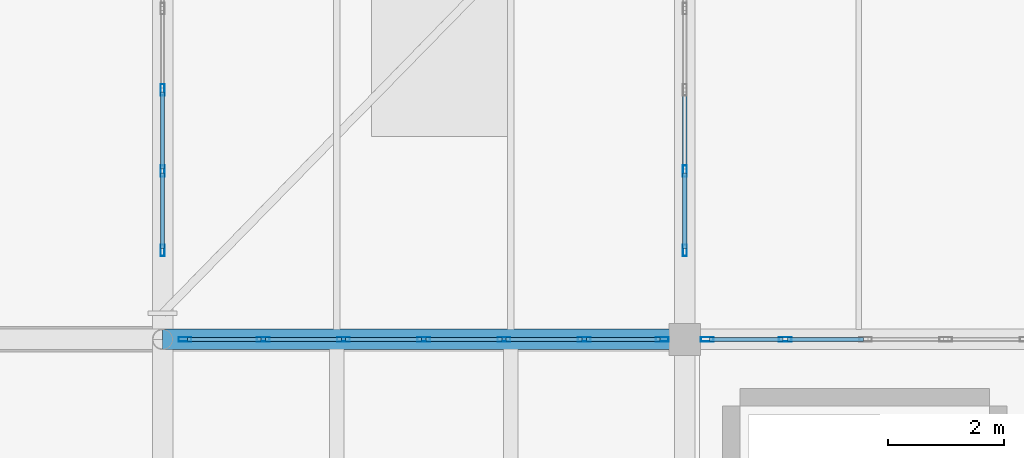
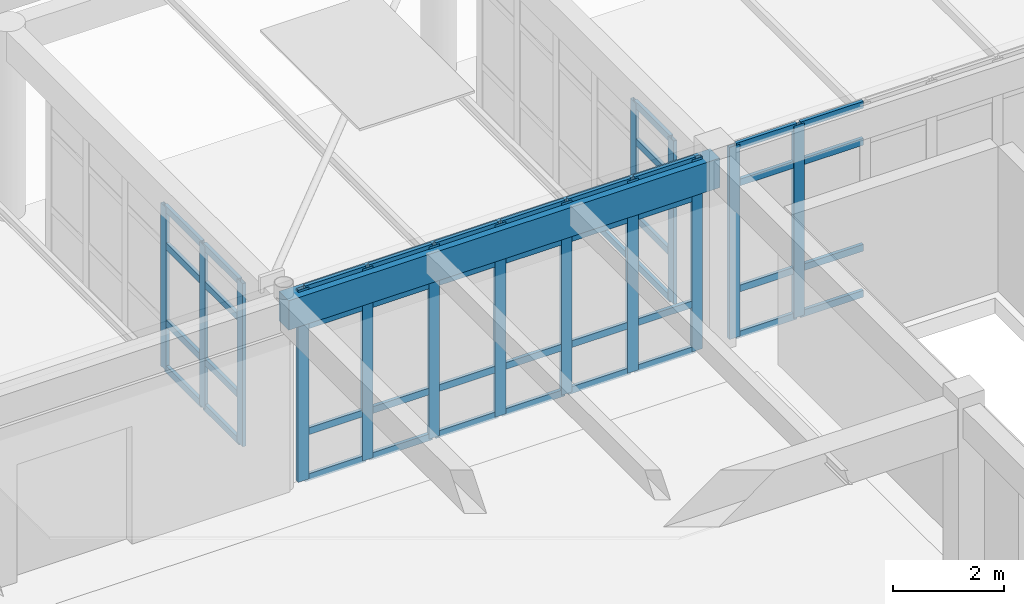
# One storey, part 99 of 186: 59 members, 1 beam, 4 elements without a shape of their own.
"""IFC4 building model written with IfcOpenShell, lengths in metres."""

from ifc_helpers import new_model, si_unit, direction, frame, origin, origin_2d, place, context, subcontext, project, spatial, rectangle, hollow_rectangle, extrude, material, layer, layer_set, material_profile, profile_set, type_object, element, aggregate, save


model = new_model("IFC4")

# Units and contexts
model_context = context("Model", 3, precision=1e-05, world=origin(), true_north=direction((0.0, 1.0)))
body_context = subcontext(model_context, "Body", "Model", "MODEL_VIEW")
ifc_project = project(units=[si_unit("LENGTHUNIT", "METRE"), si_unit("AREAUNIT", "SQUARE_METRE"), si_unit("VOLUMEUNIT", "CUBIC_METRE"), si_unit("PLANEANGLEUNIT", "RADIAN"), si_unit("MASSUNIT", "GRAM", prefix="KILO")], contexts=[model_context])

# Site, building, storey
site_placement = place(None, origin())
site = spatial("IfcSite", under=ifc_project, at=site_placement, CompositionType="ELEMENT")
building_placement = place(site_placement, origin())
building = spatial("IfcBuilding", under=site, at=building_placement, Name="Ornek Quay Market", CompositionType="ELEMENT")
storey_placement = place(building_placement, origin())
storey = spatial("IfcBuildingStorey", under=building, at=storey_placement, Name="L00", CompositionType="ELEMENT", Elevation=0.0)

# Beam
ifc_material_1 = material(Name="Concrete C35/45", Category="concrete")
ifc_material_profile_1 = material_profile(ifc_material_1, rectangle(XDim=0.35009765625, YDim=0.64990234375, at=origin_2d()), Name="RC 350x650", Category="concrete")
ifc_profile_set_1 = profile_set([ifc_material_profile_1], Name="Concrete C35/45")
beam_type = type_object("IfcBeamType", Name="BM-CONC-350x650", PredefinedType="BEAM", material=ifc_profile_set_1)
beam_placement = place(storey_placement, frame((99.0, 110.0, 3.864990234375), z_axis=(1.0, 0.0, 0.0), x_axis=(0.0, 1.0, 0.0)))
element("IfcBeam", 1, at=beam_placement, inside=storey, type_object=beam_type, Name="Primary beam B-CN1-013", PredefinedType="BEAM", context=body_context, shape_type="SweptSolid", body=[
    extrude(rectangle(XDim=0.35009765625, YDim=0.64990234375, at=origin_2d()), origin(), (0.0, 0.0, 1.0), 9.0),
])

# Curtain wall, members
ifc_material_2 = material(Name="Anodised bronze aluminium and triple low-e glass", Category="aluminium")
ifc_layer = layer(ifc_material_2, 0.219970703125, Name="Anodised bronze aluminium and triple low-e glass", Category="aluminium")
ifc_layer_set = layer_set([ifc_layer], Name="Anodised bronze aluminium and triple low-e glass")
curtain_wall_type = type_object("IfcCurtainWallType", Name="CW-PORCH-MOD1500", PredefinedType="USERDEFINED", material=ifc_layer_set)
curtain_wall_1_placement = place(storey_placement, origin())
curtain_wall_1 = element("IfcCurtainWall", 2, at=curtain_wall_1_placement, inside=storey, type_object=curtain_wall_type, Name="Curtain wall CW-153", ObjectType="CURTAIN WALL", PredefinedType="USERDEFINED")
ifc_material_3 = material(Name="Anodised aluminium 6063-T6", Category="aluminium")
ifc_material_profile_2 = material_profile(ifc_material_3, hollow_rectangle(XDim=0.070068359375, YDim=0.199951171875, WallThickness=0.0048828125, at=origin_2d()), Name="CW-MUL-70x200", Category="aluminium")
ifc_profile_set_2 = profile_set([ifc_material_profile_2], Name="Anodised aluminium 6063-T6")
member_type_1 = type_object("IfcMemberType", Name="CW-MUL-70x200", PredefinedType="MULLION", material=ifc_profile_set_2)
member_1_placement = place(storey_placement, frame((99.0, 111.534912109375, 0.0), z_axis=(0.0, 0.0, 1.0), x_axis=(-1.0, 0.0, 0.0)))
member_1 = element("IfcMember", 3, at=member_1_placement, type_object=member_type_1, Name="CW-153 mullion 1", PredefinedType="MULLION", context=body_context, shape_type="SweptSolid", body=[
    extrude(hollow_rectangle(XDim=0.070068359375, YDim=0.199951171875, WallThickness=0.0048828125, at=origin_2d()), origin(), (0.0, 0.0, 1.0), 3.60009765625),
])
member_2_placement = place(storey_placement, frame((99.0, 112.89990234375, 0.0), z_axis=(0.0, 0.0, 1.0), x_axis=(-1.0, 0.0, 0.0)))
member_2 = element("IfcMember", 4, at=member_2_placement, type_object=member_type_1, Name="CW-153 mullion 2", PredefinedType="MULLION", context=body_context, shape_type="SweptSolid", body=[
    extrude(hollow_rectangle(XDim=0.070068359375, YDim=0.199951171875, WallThickness=0.0048828125, at=origin_2d()), origin(), (0.0, 0.0, 1.0), 3.60009765625),
])
member_3_placement = place(storey_placement, frame((99.0, 114.300048828125, 0.0), z_axis=(0.0, 0.0, 1.0), x_axis=(-1.0, 0.0, 0.0)))
member_3 = element("IfcMember", 5, at=member_3_placement, type_object=member_type_1, Name="CW-153 mullion 3", PredefinedType="MULLION", context=body_context, shape_type="SweptSolid", body=[
    extrude(hollow_rectangle(XDim=0.070068359375, YDim=0.199951171875, WallThickness=0.0048828125, at=origin_2d()), origin(), (0.0, 0.0, 1.0), 3.60009765625),
])

curtain_wall_2_placement = place(storey_placement, origin())
curtain_wall_2 = element("IfcCurtainWall", 6, at=curtain_wall_2_placement, inside=storey, type_object=curtain_wall_type, Name="Curtain wall CW-154", ObjectType="CURTAIN WALL", PredefinedType="USERDEFINED")
member_4_placement = place(storey_placement, frame((108.0, 111.534912109375, 0.0), z_axis=(0.0, 0.0, 1.0), x_axis=(-1.0, 0.0, 0.0)))
member_4 = element("IfcMember", 7, at=member_4_placement, type_object=member_type_1, Name="CW-154 mullion 1", PredefinedType="MULLION", context=body_context, shape_type="SweptSolid", body=[
    extrude(hollow_rectangle(XDim=0.070068359375, YDim=0.199951171875, WallThickness=0.0048828125, at=origin_2d()), origin(), (0.0, 0.0, 1.0), 3.60009765625),
])
member_5_placement = place(storey_placement, frame((108.0, 112.89990234375, 0.0), z_axis=(0.0, 0.0, 1.0), x_axis=(-1.0, 0.0, 0.0)))
member_5 = element("IfcMember", 8, at=member_5_placement, type_object=member_type_1, Name="CW-154 mullion 2", PredefinedType="MULLION", context=body_context, shape_type="SweptSolid", body=[
    extrude(hollow_rectangle(XDim=0.070068359375, YDim=0.199951171875, WallThickness=0.0048828125, at=origin_2d()), origin(), (0.0, 0.0, 1.0), 3.60009765625),
])

curtain_wall_3_placement = place(storey_placement, origin())
curtain_wall_3 = element("IfcCurtainWall", 9, at=curtain_wall_3_placement, inside=storey, type_object=curtain_wall_type, Name="Curtain wall CW-047", ObjectType="CURTAIN WALL", PredefinedType="USERDEFINED")
ifc_material_profile_3 = material_profile(ifc_material_3, hollow_rectangle(XDim=0.074951171875, YDim=0.219970703125, WallThickness=0.0048828125, at=origin_2d()), Name="CW-MUL-75x220", Category="aluminium")
ifc_profile_set_3 = profile_set([ifc_material_profile_3], Name="Anodised aluminium 6063-T6")
member_type_2 = type_object("IfcMemberType", Name="CW-MUL-75x220", PredefinedType="MULLION", material=ifc_profile_set_3)
member_6_placement = place(storey_placement, frame((99.387451171875, 110.0, 0.0), z_axis=(0.0, 0.0, 1.0), x_axis=(0.0, 1.0, 0.0)))
member_6 = element("IfcMember", 10, at=member_6_placement, type_object=member_type_2, Name="CW-047 mullion 1", PredefinedType="MULLION", context=body_context, shape_type="SweptSolid", body=[
    extrude(hollow_rectangle(XDim=0.074951171875, YDim=0.219970703125, WallThickness=0.0048828125, at=origin_2d()), origin(), (0.0, 0.0, 1.0), 4.239990234375),
])
member_7_placement = place(storey_placement, frame((100.7333984375, 110.0, 0.0), z_axis=(0.0, 0.0, 1.0), x_axis=(0.0, 1.0, 0.0)))
member_7 = element("IfcMember", 11, at=member_7_placement, type_object=member_type_2, Name="CW-047 mullion 2", PredefinedType="MULLION", context=body_context, shape_type="SweptSolid", body=[
    extrude(hollow_rectangle(XDim=0.074951171875, YDim=0.219970703125, WallThickness=0.0048828125, at=origin_2d()), origin(), (0.0, 0.0, 1.0), 4.239990234375),
])
member_8_placement = place(storey_placement, frame((102.11669921875, 110.0, 0.0), z_axis=(0.0, 0.0, 1.0), x_axis=(0.0, 1.0, 0.0)))
member_8 = element("IfcMember", 12, at=member_8_placement, type_object=member_type_2, Name="CW-047 mullion 3", PredefinedType="MULLION", context=body_context, shape_type="SweptSolid", body=[
    extrude(hollow_rectangle(XDim=0.074951171875, YDim=0.219970703125, WallThickness=0.0048828125, at=origin_2d()), origin(), (0.0, 0.0, 1.0), 4.239990234375),
])
member_9_placement = place(storey_placement, frame((103.5, 110.0, 0.0), z_axis=(0.0, 0.0, 1.0), x_axis=(0.0, 1.0, 0.0)))
member_9 = element("IfcMember", 13, at=member_9_placement, type_object=member_type_2, Name="CW-047 mullion 4", PredefinedType="MULLION", context=body_context, shape_type="SweptSolid", body=[
    extrude(hollow_rectangle(XDim=0.074951171875, YDim=0.219970703125, WallThickness=0.0048828125, at=origin_2d()), origin(), (0.0, 0.0, 1.0), 4.239990234375),
])
member_10_placement = place(storey_placement, frame((104.88330078125, 110.0, 0.0), z_axis=(0.0, 0.0, 1.0), x_axis=(0.0, 1.0, 0.0)))
member_10 = element("IfcMember", 14, at=member_10_placement, type_object=member_type_2, Name="CW-047 mullion 5", PredefinedType="MULLION", context=body_context, shape_type="SweptSolid", body=[
    extrude(hollow_rectangle(XDim=0.074951171875, YDim=0.219970703125, WallThickness=0.0048828125, at=origin_2d()), origin(), (0.0, 0.0, 1.0), 4.239990234375),
])
member_11_placement = place(storey_placement, frame((106.2666015625, 110.0, 0.0), z_axis=(0.0, 0.0, 1.0), x_axis=(0.0, 1.0, 0.0)))
member_11 = element("IfcMember", 15, at=member_11_placement, type_object=member_type_2, Name="CW-047 mullion 6", PredefinedType="MULLION", context=body_context, shape_type="SweptSolid", body=[
    extrude(hollow_rectangle(XDim=0.074951171875, YDim=0.219970703125, WallThickness=0.0048828125, at=origin_2d()), origin(), (0.0, 0.0, 1.0), 4.239990234375),
])
member_12_placement = place(storey_placement, frame((107.612548828125, 110.0, 0.0), z_axis=(0.0, 0.0, 1.0), x_axis=(0.0, 1.0, 0.0)))
member_12 = element("IfcMember", 16, at=member_12_placement, type_object=member_type_2, Name="CW-047 mullion 7", PredefinedType="MULLION", context=body_context, shape_type="SweptSolid", body=[
    extrude(hollow_rectangle(XDim=0.074951171875, YDim=0.219970703125, WallThickness=0.0048828125, at=origin_2d()), origin(), (0.0, 0.0, 1.0), 4.239990234375),
])

curtain_wall_4_placement = place(storey_placement, origin())
curtain_wall_4 = element("IfcCurtainWall", 17, at=curtain_wall_4_placement, inside=storey, type_object=curtain_wall_type, Name="Curtain wall CW-048", ObjectType="CURTAIN WALL", PredefinedType="USERDEFINED")
member_13_placement = place(storey_placement, frame((108.387451171875, 110.0, 0.0), z_axis=(0.0, 0.0, 1.0), x_axis=(0.0, 1.0, 0.0)))
member_13 = element("IfcMember", 18, at=member_13_placement, type_object=member_type_2, Name="CW-048 mullion 1", PredefinedType="MULLION", context=body_context, shape_type="SweptSolid", body=[
    extrude(hollow_rectangle(XDim=0.074951171875, YDim=0.219970703125, WallThickness=0.0048828125, at=origin_2d()), origin(), (0.0, 0.0, 1.0), 4.239990234375),
])
member_14_placement = place(storey_placement, frame((109.7333984375, 110.0, 0.0), z_axis=(0.0, 0.0, 1.0), x_axis=(0.0, 1.0, 0.0)))
member_14 = element("IfcMember", 19, at=member_14_placement, type_object=member_type_2, Name="CW-048 mullion 2", PredefinedType="MULLION", context=body_context, shape_type="SweptSolid", body=[
    extrude(hollow_rectangle(XDim=0.074951171875, YDim=0.219970703125, WallThickness=0.0048828125, at=origin_2d()), origin(), (0.0, 0.0, 1.0), 4.239990234375),
])

# Member
ifc_material_profile_4 = material_profile(ifc_material_3, hollow_rectangle(XDim=0.070068359375, YDim=0.14990234375, WallThickness=0.0048828125, at=origin_2d()), Name="CW-TRN-70x150", Category="aluminium")
ifc_profile_set_4 = profile_set([ifc_material_profile_4], Name="Anodised aluminium 6063-T6")
member_type_3 = type_object("IfcMemberType", Name="CW-TRN-70x150", PredefinedType="USERDEFINED", material=ifc_profile_set_4)
member_15_placement = place(storey_placement, frame((99.425048828125, 110.0, 0.034912109375), z_axis=(1.0, 0.0, 0.0), x_axis=(0.0, 1.0, 0.0)))
member_15 = element("IfcMember", 20, at=member_15_placement, type_object=member_type_3, Name="CW-047 transom 1.1", ObjectType="TRANSOM", PredefinedType="USERDEFINED", context=body_context, shape_type="SweptSolid", body=[
    extrude(hollow_rectangle(XDim=0.070068359375, YDim=0.14990234375, WallThickness=0.0048828125, at=origin_2d()), origin(), (0.0, 0.0, 1.0), 1.270751953125),
])

member_16_placement = place(storey_placement, frame((99.425048828125, 110.0, 1.050048828125), z_axis=(1.0, 0.0, 0.0), x_axis=(0.0, 1.0, 0.0)))
member_16 = element("IfcMember", 21, at=member_16_placement, type_object=member_type_3, Name="CW-047 transom 1.2", ObjectType="TRANSOM", PredefinedType="USERDEFINED", context=body_context, shape_type="SweptSolid", body=[
    extrude(hollow_rectangle(XDim=0.070068359375, YDim=0.14990234375, WallThickness=0.0048828125, at=origin_2d()), origin(), (0.0, 0.0, 1.0), 1.270751953125),
])

member_17_placement = place(storey_placement, frame((99.425048828125, 110.0, 3.389892578125), z_axis=(1.0, 0.0, 0.0), x_axis=(0.0, 1.0, 0.0)))
member_17 = element("IfcMember", 22, at=member_17_placement, type_object=member_type_3, Name="CW-047 transom 1.3", ObjectType="TRANSOM", PredefinedType="USERDEFINED", context=body_context, shape_type="SweptSolid", body=[
    extrude(hollow_rectangle(XDim=0.070068359375, YDim=0.14990234375, WallThickness=0.0048828125, at=origin_2d()), origin(), (0.0, 0.0, 1.0), 1.270751953125),
])

member_18_placement = place(storey_placement, frame((99.425048828125, 110.0, 4.205078125), z_axis=(1.0, 0.0, 0.0), x_axis=(0.0, 1.0, 0.0)))
member_18 = element("IfcMember", 23, at=member_18_placement, type_object=member_type_3, Name="CW-047 transom 1.4", ObjectType="TRANSOM", PredefinedType="USERDEFINED", context=body_context, shape_type="SweptSolid", body=[
    extrude(hollow_rectangle(XDim=0.070068359375, YDim=0.14990234375, WallThickness=0.0048828125, at=origin_2d()), origin(), (0.0, 0.0, 1.0), 1.270751953125),
])

member_19_placement = place(storey_placement, frame((100.770751953125, 110.0, 0.034912109375), z_axis=(1.0, 0.0, 0.0), x_axis=(0.0, 1.0, 0.0)))
member_19 = element("IfcMember", 24, at=member_19_placement, type_object=member_type_3, Name="CW-047 transom 2.1", ObjectType="TRANSOM", PredefinedType="USERDEFINED", context=body_context, shape_type="SweptSolid", body=[
    extrude(hollow_rectangle(XDim=0.070068359375, YDim=0.14990234375, WallThickness=0.0048828125, at=origin_2d()), origin(), (0.0, 0.0, 1.0), 1.308349609375),
])

member_20_placement = place(storey_placement, frame((100.770751953125, 110.0, 1.050048828125), z_axis=(1.0, 0.0, 0.0), x_axis=(0.0, 1.0, 0.0)))
member_20 = element("IfcMember", 25, at=member_20_placement, type_object=member_type_3, Name="CW-047 transom 2.2", ObjectType="TRANSOM", PredefinedType="USERDEFINED", context=body_context, shape_type="SweptSolid", body=[
    extrude(hollow_rectangle(XDim=0.070068359375, YDim=0.14990234375, WallThickness=0.0048828125, at=origin_2d()), origin(), (0.0, 0.0, 1.0), 1.308349609375),
])

member_21_placement = place(storey_placement, frame((100.770751953125, 110.0, 3.389892578125), z_axis=(1.0, 0.0, 0.0), x_axis=(0.0, 1.0, 0.0)))
member_21 = element("IfcMember", 26, at=member_21_placement, type_object=member_type_3, Name="CW-047 transom 2.3", ObjectType="TRANSOM", PredefinedType="USERDEFINED", context=body_context, shape_type="SweptSolid", body=[
    extrude(hollow_rectangle(XDim=0.070068359375, YDim=0.14990234375, WallThickness=0.0048828125, at=origin_2d()), origin(), (0.0, 0.0, 1.0), 1.308349609375),
])

member_22_placement = place(storey_placement, frame((100.770751953125, 110.0, 4.205078125), z_axis=(1.0, 0.0, 0.0), x_axis=(0.0, 1.0, 0.0)))
member_22 = element("IfcMember", 27, at=member_22_placement, type_object=member_type_3, Name="CW-047 transom 2.4", ObjectType="TRANSOM", PredefinedType="USERDEFINED", context=body_context, shape_type="SweptSolid", body=[
    extrude(hollow_rectangle(XDim=0.070068359375, YDim=0.14990234375, WallThickness=0.0048828125, at=origin_2d()), origin(), (0.0, 0.0, 1.0), 1.308349609375),
])

member_23_placement = place(storey_placement, frame((102.154052734375, 110.0, 0.034912109375), z_axis=(1.0, 0.0, 0.0), x_axis=(0.0, 1.0, 0.0)))
member_23 = element("IfcMember", 28, at=member_23_placement, type_object=member_type_3, Name="CW-047 transom 3.1", ObjectType="TRANSOM", PredefinedType="USERDEFINED", context=body_context, shape_type="SweptSolid", body=[
    extrude(hollow_rectangle(XDim=0.070068359375, YDim=0.14990234375, WallThickness=0.0048828125, at=origin_2d()), origin(), (0.0, 0.0, 1.0), 1.308349609375),
])

member_24_placement = place(storey_placement, frame((102.154052734375, 110.0, 1.050048828125), z_axis=(1.0, 0.0, 0.0), x_axis=(0.0, 1.0, 0.0)))
member_24 = element("IfcMember", 29, at=member_24_placement, type_object=member_type_3, Name="CW-047 transom 3.2", ObjectType="TRANSOM", PredefinedType="USERDEFINED", context=body_context, shape_type="SweptSolid", body=[
    extrude(hollow_rectangle(XDim=0.070068359375, YDim=0.14990234375, WallThickness=0.0048828125, at=origin_2d()), origin(), (0.0, 0.0, 1.0), 1.308349609375),
])

member_25_placement = place(storey_placement, frame((102.154052734375, 110.0, 3.389892578125), z_axis=(1.0, 0.0, 0.0), x_axis=(0.0, 1.0, 0.0)))
member_25 = element("IfcMember", 30, at=member_25_placement, type_object=member_type_3, Name="CW-047 transom 3.3", ObjectType="TRANSOM", PredefinedType="USERDEFINED", context=body_context, shape_type="SweptSolid", body=[
    extrude(hollow_rectangle(XDim=0.070068359375, YDim=0.14990234375, WallThickness=0.0048828125, at=origin_2d()), origin(), (0.0, 0.0, 1.0), 1.308349609375),
])

member_26_placement = place(storey_placement, frame((102.154052734375, 110.0, 4.205078125), z_axis=(1.0, 0.0, 0.0), x_axis=(0.0, 1.0, 0.0)))
member_26 = element("IfcMember", 31, at=member_26_placement, type_object=member_type_3, Name="CW-047 transom 3.4", ObjectType="TRANSOM", PredefinedType="USERDEFINED", context=body_context, shape_type="SweptSolid", body=[
    extrude(hollow_rectangle(XDim=0.070068359375, YDim=0.14990234375, WallThickness=0.0048828125, at=origin_2d()), origin(), (0.0, 0.0, 1.0), 1.308349609375),
])

member_27_placement = place(storey_placement, frame((103.53759765625, 110.0, 0.034912109375), z_axis=(1.0, 0.0, 0.0), x_axis=(0.0, 1.0, 0.0)))
member_27 = element("IfcMember", 32, at=member_27_placement, type_object=member_type_3, Name="CW-047 transom 4.1", ObjectType="TRANSOM", PredefinedType="USERDEFINED", context=body_context, shape_type="SweptSolid", body=[
    extrude(hollow_rectangle(XDim=0.070068359375, YDim=0.14990234375, WallThickness=0.0048828125, at=origin_2d()), origin(), (0.0, 0.0, 1.0), 1.308349609375),
])

member_28_placement = place(storey_placement, frame((103.53759765625, 110.0, 1.050048828125), z_axis=(1.0, 0.0, 0.0), x_axis=(0.0, 1.0, 0.0)))
member_28 = element("IfcMember", 33, at=member_28_placement, type_object=member_type_3, Name="CW-047 transom 4.2", ObjectType="TRANSOM", PredefinedType="USERDEFINED", context=body_context, shape_type="SweptSolid", body=[
    extrude(hollow_rectangle(XDim=0.070068359375, YDim=0.14990234375, WallThickness=0.0048828125, at=origin_2d()), origin(), (0.0, 0.0, 1.0), 1.308349609375),
])

member_29_placement = place(storey_placement, frame((103.53759765625, 110.0, 3.389892578125), z_axis=(1.0, 0.0, 0.0), x_axis=(0.0, 1.0, 0.0)))
member_29 = element("IfcMember", 34, at=member_29_placement, type_object=member_type_3, Name="CW-047 transom 4.3", ObjectType="TRANSOM", PredefinedType="USERDEFINED", context=body_context, shape_type="SweptSolid", body=[
    extrude(hollow_rectangle(XDim=0.070068359375, YDim=0.14990234375, WallThickness=0.0048828125, at=origin_2d()), origin(), (0.0, 0.0, 1.0), 1.308349609375),
])

member_30_placement = place(storey_placement, frame((103.53759765625, 110.0, 4.205078125), z_axis=(1.0, 0.0, 0.0), x_axis=(0.0, 1.0, 0.0)))
member_30 = element("IfcMember", 35, at=member_30_placement, type_object=member_type_3, Name="CW-047 transom 4.4", ObjectType="TRANSOM", PredefinedType="USERDEFINED", context=body_context, shape_type="SweptSolid", body=[
    extrude(hollow_rectangle(XDim=0.070068359375, YDim=0.14990234375, WallThickness=0.0048828125, at=origin_2d()), origin(), (0.0, 0.0, 1.0), 1.308349609375),
])

member_31_placement = place(storey_placement, frame((104.9208984375, 110.0, 0.034912109375), z_axis=(1.0, 0.0, 0.0), x_axis=(0.0, 1.0, 0.0)))
member_31 = element("IfcMember", 36, at=member_31_placement, type_object=member_type_3, Name="CW-047 transom 5.1", ObjectType="TRANSOM", PredefinedType="USERDEFINED", context=body_context, shape_type="SweptSolid", body=[
    extrude(hollow_rectangle(XDim=0.070068359375, YDim=0.14990234375, WallThickness=0.0048828125, at=origin_2d()), origin(), (0.0, 0.0, 1.0), 1.308349609375),
])

member_32_placement = place(storey_placement, frame((104.9208984375, 110.0, 1.050048828125), z_axis=(1.0, 0.0, 0.0), x_axis=(0.0, 1.0, 0.0)))
member_32 = element("IfcMember", 37, at=member_32_placement, type_object=member_type_3, Name="CW-047 transom 5.2", ObjectType="TRANSOM", PredefinedType="USERDEFINED", context=body_context, shape_type="SweptSolid", body=[
    extrude(hollow_rectangle(XDim=0.070068359375, YDim=0.14990234375, WallThickness=0.0048828125, at=origin_2d()), origin(), (0.0, 0.0, 1.0), 1.308349609375),
])

member_33_placement = place(storey_placement, frame((104.9208984375, 110.0, 3.389892578125), z_axis=(1.0, 0.0, 0.0), x_axis=(0.0, 1.0, 0.0)))
member_33 = element("IfcMember", 38, at=member_33_placement, type_object=member_type_3, Name="CW-047 transom 5.3", ObjectType="TRANSOM", PredefinedType="USERDEFINED", context=body_context, shape_type="SweptSolid", body=[
    extrude(hollow_rectangle(XDim=0.070068359375, YDim=0.14990234375, WallThickness=0.0048828125, at=origin_2d()), origin(), (0.0, 0.0, 1.0), 1.308349609375),
])

member_34_placement = place(storey_placement, frame((104.9208984375, 110.0, 4.205078125), z_axis=(1.0, 0.0, 0.0), x_axis=(0.0, 1.0, 0.0)))
member_34 = element("IfcMember", 39, at=member_34_placement, type_object=member_type_3, Name="CW-047 transom 5.4", ObjectType="TRANSOM", PredefinedType="USERDEFINED", context=body_context, shape_type="SweptSolid", body=[
    extrude(hollow_rectangle(XDim=0.070068359375, YDim=0.14990234375, WallThickness=0.0048828125, at=origin_2d()), origin(), (0.0, 0.0, 1.0), 1.308349609375),
])

member_35_placement = place(storey_placement, frame((106.30419921875, 110.0, 0.034912109375), z_axis=(1.0, 0.0, 0.0), x_axis=(0.0, 1.0, 0.0)))
member_35 = element("IfcMember", 40, at=member_35_placement, type_object=member_type_3, Name="CW-047 transom 6.1", ObjectType="TRANSOM", PredefinedType="USERDEFINED", context=body_context, shape_type="SweptSolid", body=[
    extrude(hollow_rectangle(XDim=0.070068359375, YDim=0.14990234375, WallThickness=0.0048828125, at=origin_2d()), origin(), (0.0, 0.0, 1.0), 1.270751953125),
])

member_36_placement = place(storey_placement, frame((106.30419921875, 110.0, 1.050048828125), z_axis=(1.0, 0.0, 0.0), x_axis=(0.0, 1.0, 0.0)))
member_36 = element("IfcMember", 41, at=member_36_placement, type_object=member_type_3, Name="CW-047 transom 6.2", ObjectType="TRANSOM", PredefinedType="USERDEFINED", context=body_context, shape_type="SweptSolid", body=[
    extrude(hollow_rectangle(XDim=0.070068359375, YDim=0.14990234375, WallThickness=0.0048828125, at=origin_2d()), origin(), (0.0, 0.0, 1.0), 1.270751953125),
])

member_37_placement = place(storey_placement, frame((106.30419921875, 110.0, 3.389892578125), z_axis=(1.0, 0.0, 0.0), x_axis=(0.0, 1.0, 0.0)))
member_37 = element("IfcMember", 42, at=member_37_placement, type_object=member_type_3, Name="CW-047 transom 6.3", ObjectType="TRANSOM", PredefinedType="USERDEFINED", context=body_context, shape_type="SweptSolid", body=[
    extrude(hollow_rectangle(XDim=0.070068359375, YDim=0.14990234375, WallThickness=0.0048828125, at=origin_2d()), origin(), (0.0, 0.0, 1.0), 1.270751953125),
])

member_38_placement = place(storey_placement, frame((106.30419921875, 110.0, 4.205078125), z_axis=(1.0, 0.0, 0.0), x_axis=(0.0, 1.0, 0.0)))
member_38 = element("IfcMember", 43, at=member_38_placement, type_object=member_type_3, Name="CW-047 transom 6.4", ObjectType="TRANSOM", PredefinedType="USERDEFINED", context=body_context, shape_type="SweptSolid", body=[
    extrude(hollow_rectangle(XDim=0.070068359375, YDim=0.14990234375, WallThickness=0.0048828125, at=origin_2d()), origin(), (0.0, 0.0, 1.0), 1.270751953125),
])

aggregate(curtain_wall_3, [member_6, member_7, member_8, member_9, member_10, member_11, member_12, member_15, member_16, member_17, member_18, member_19, member_20, member_21, member_22, member_23, member_24, member_25, member_26, member_27, member_28, member_29, member_30, member_31, member_32, member_33, member_34, member_35, member_36, member_37, member_38])

member_39_placement = place(storey_placement, frame((108.425048828125, 110.0, 0.034912109375), z_axis=(1.0, 0.0, 0.0), x_axis=(0.0, 1.0, 0.0)))
member_39 = element("IfcMember", 44, at=member_39_placement, type_object=member_type_3, Name="CW-048 transom 1.1", ObjectType="TRANSOM", PredefinedType="USERDEFINED", context=body_context, shape_type="SweptSolid", body=[
    extrude(hollow_rectangle(XDim=0.070068359375, YDim=0.14990234375, WallThickness=0.0048828125, at=origin_2d()), origin(), (0.0, 0.0, 1.0), 1.270751953125),
])

member_40_placement = place(storey_placement, frame((108.425048828125, 110.0, 1.050048828125), z_axis=(1.0, 0.0, 0.0), x_axis=(0.0, 1.0, 0.0)))
member_40 = element("IfcMember", 45, at=member_40_placement, type_object=member_type_3, Name="CW-048 transom 1.2", ObjectType="TRANSOM", PredefinedType="USERDEFINED", context=body_context, shape_type="SweptSolid", body=[
    extrude(hollow_rectangle(XDim=0.070068359375, YDim=0.14990234375, WallThickness=0.0048828125, at=origin_2d()), origin(), (0.0, 0.0, 1.0), 1.270751953125),
])

member_41_placement = place(storey_placement, frame((108.425048828125, 110.0, 3.389892578125), z_axis=(1.0, 0.0, 0.0), x_axis=(0.0, 1.0, 0.0)))
member_41 = element("IfcMember", 46, at=member_41_placement, type_object=member_type_3, Name="CW-048 transom 1.3", ObjectType="TRANSOM", PredefinedType="USERDEFINED", context=body_context, shape_type="SweptSolid", body=[
    extrude(hollow_rectangle(XDim=0.070068359375, YDim=0.14990234375, WallThickness=0.0048828125, at=origin_2d()), origin(), (0.0, 0.0, 1.0), 1.270751953125),
])

member_42_placement = place(storey_placement, frame((108.425048828125, 110.0, 4.205078125), z_axis=(1.0, 0.0, 0.0), x_axis=(0.0, 1.0, 0.0)))
member_42 = element("IfcMember", 47, at=member_42_placement, type_object=member_type_3, Name="CW-048 transom 1.4", ObjectType="TRANSOM", PredefinedType="USERDEFINED", context=body_context, shape_type="SweptSolid", body=[
    extrude(hollow_rectangle(XDim=0.070068359375, YDim=0.14990234375, WallThickness=0.0048828125, at=origin_2d()), origin(), (0.0, 0.0, 1.0), 1.270751953125),
])

member_43_placement = place(storey_placement, frame((109.770751953125, 110.0, 0.034912109375), z_axis=(1.0, 0.0, 0.0), x_axis=(0.0, 1.0, 0.0)))
member_43 = element("IfcMember", 48, at=member_43_placement, type_object=member_type_3, Name="CW-048 transom 2.1", ObjectType="TRANSOM", PredefinedType="USERDEFINED", context=body_context, shape_type="SweptSolid", body=[
    extrude(hollow_rectangle(XDim=0.070068359375, YDim=0.14990234375, WallThickness=0.0048828125, at=origin_2d()), origin(), (0.0, 0.0, 1.0), 1.308349609375),
])

member_44_placement = place(storey_placement, frame((109.770751953125, 110.0, 1.050048828125), z_axis=(1.0, 0.0, 0.0), x_axis=(0.0, 1.0, 0.0)))
member_44 = element("IfcMember", 49, at=member_44_placement, type_object=member_type_3, Name="CW-048 transom 2.2", ObjectType="TRANSOM", PredefinedType="USERDEFINED", context=body_context, shape_type="SweptSolid", body=[
    extrude(hollow_rectangle(XDim=0.070068359375, YDim=0.14990234375, WallThickness=0.0048828125, at=origin_2d()), origin(), (0.0, 0.0, 1.0), 1.308349609375),
])

member_45_placement = place(storey_placement, frame((109.770751953125, 110.0, 3.389892578125), z_axis=(1.0, 0.0, 0.0), x_axis=(0.0, 1.0, 0.0)))
member_45 = element("IfcMember", 50, at=member_45_placement, type_object=member_type_3, Name="CW-048 transom 2.3", ObjectType="TRANSOM", PredefinedType="USERDEFINED", context=body_context, shape_type="SweptSolid", body=[
    extrude(hollow_rectangle(XDim=0.070068359375, YDim=0.14990234375, WallThickness=0.0048828125, at=origin_2d()), origin(), (0.0, 0.0, 1.0), 1.308349609375),
])

member_46_placement = place(storey_placement, frame((109.770751953125, 110.0, 4.205078125), z_axis=(1.0, 0.0, 0.0), x_axis=(0.0, 1.0, 0.0)))
member_46 = element("IfcMember", 51, at=member_46_placement, type_object=member_type_3, Name="CW-048 transom 2.4", ObjectType="TRANSOM", PredefinedType="USERDEFINED", context=body_context, shape_type="SweptSolid", body=[
    extrude(hollow_rectangle(XDim=0.070068359375, YDim=0.14990234375, WallThickness=0.0048828125, at=origin_2d()), origin(), (0.0, 0.0, 1.0), 1.308349609375),
])

aggregate(curtain_wall_4, [member_13, member_14, member_39, member_40, member_41, member_42, member_43, member_44, member_45, member_46])

member_47_placement = place(storey_placement, frame((99.0, 111.570068359375, 0.034912109375), z_axis=(0.0, 1.0, 0.0), x_axis=(-1.0, 0.0, 0.0)))
member_47 = element("IfcMember", 52, at=member_47_placement, type_object=member_type_3, Name="CW-153 transom 1.1", ObjectType="TRANSOM", PredefinedType="USERDEFINED", context=body_context, shape_type="SweptSolid", body=[
    extrude(hollow_rectangle(XDim=0.070068359375, YDim=0.14990234375, WallThickness=0.0048828125, at=origin_2d()), origin(), (0.0, 0.0, 1.0), 1.294921875),
])

member_48_placement = place(storey_placement, frame((99.0, 111.570068359375, 1.050048828125), z_axis=(0.0, 1.0, 0.0), x_axis=(-1.0, 0.0, 0.0)))
member_48 = element("IfcMember", 53, at=member_48_placement, type_object=member_type_3, Name="CW-153 transom 1.2", ObjectType="TRANSOM", PredefinedType="USERDEFINED", context=body_context, shape_type="SweptSolid", body=[
    extrude(hollow_rectangle(XDim=0.070068359375, YDim=0.14990234375, WallThickness=0.0048828125, at=origin_2d()), origin(), (0.0, 0.0, 1.0), 1.294921875),
])

member_49_placement = place(storey_placement, frame((99.0, 111.570068359375, 2.75), z_axis=(0.0, 1.0, 0.0), x_axis=(-1.0, 0.0, 0.0)))
member_49 = element("IfcMember", 54, at=member_49_placement, type_object=member_type_3, Name="CW-153 transom 1.3", ObjectType="TRANSOM", PredefinedType="USERDEFINED", context=body_context, shape_type="SweptSolid", body=[
    extrude(hollow_rectangle(XDim=0.070068359375, YDim=0.14990234375, WallThickness=0.0048828125, at=origin_2d()), origin(), (0.0, 0.0, 1.0), 1.294921875),
])

member_50_placement = place(storey_placement, frame((99.0, 111.570068359375, 3.56494140625), z_axis=(0.0, 1.0, 0.0), x_axis=(-1.0, 0.0, 0.0)))
member_50 = element("IfcMember", 55, at=member_50_placement, type_object=member_type_3, Name="CW-153 transom 1.4", ObjectType="TRANSOM", PredefinedType="USERDEFINED", context=body_context, shape_type="SweptSolid", body=[
    extrude(hollow_rectangle(XDim=0.070068359375, YDim=0.14990234375, WallThickness=0.0048828125, at=origin_2d()), origin(), (0.0, 0.0, 1.0), 1.294921875),
])

member_51_placement = place(storey_placement, frame((99.0, 112.93505859375, 0.034912109375), z_axis=(0.0, 1.0, 0.0), x_axis=(-1.0, 0.0, 0.0)))
member_51 = element("IfcMember", 56, at=member_51_placement, type_object=member_type_3, Name="CW-153 transom 2.1", ObjectType="TRANSOM", PredefinedType="USERDEFINED", context=body_context, shape_type="SweptSolid", body=[
    extrude(hollow_rectangle(XDim=0.070068359375, YDim=0.14990234375, WallThickness=0.0048828125, at=origin_2d()), origin(), (0.0, 0.0, 1.0), 1.329833984375),
])

member_52_placement = place(storey_placement, frame((99.0, 112.93505859375, 1.050048828125), z_axis=(0.0, 1.0, 0.0), x_axis=(-1.0, 0.0, 0.0)))
member_52 = element("IfcMember", 57, at=member_52_placement, type_object=member_type_3, Name="CW-153 transom 2.2", ObjectType="TRANSOM", PredefinedType="USERDEFINED", context=body_context, shape_type="SweptSolid", body=[
    extrude(hollow_rectangle(XDim=0.070068359375, YDim=0.14990234375, WallThickness=0.0048828125, at=origin_2d()), origin(), (0.0, 0.0, 1.0), 1.329833984375),
])

member_53_placement = place(storey_placement, frame((99.0, 112.93505859375, 2.75), z_axis=(0.0, 1.0, 0.0), x_axis=(-1.0, 0.0, 0.0)))
member_53 = element("IfcMember", 58, at=member_53_placement, type_object=member_type_3, Name="CW-153 transom 2.3", ObjectType="TRANSOM", PredefinedType="USERDEFINED", context=body_context, shape_type="SweptSolid", body=[
    extrude(hollow_rectangle(XDim=0.070068359375, YDim=0.14990234375, WallThickness=0.0048828125, at=origin_2d()), origin(), (0.0, 0.0, 1.0), 1.329833984375),
])

member_54_placement = place(storey_placement, frame((99.0, 112.93505859375, 3.56494140625), z_axis=(0.0, 1.0, 0.0), x_axis=(-1.0, 0.0, 0.0)))
member_54 = element("IfcMember", 59, at=member_54_placement, type_object=member_type_3, Name="CW-153 transom 2.4", ObjectType="TRANSOM", PredefinedType="USERDEFINED", context=body_context, shape_type="SweptSolid", body=[
    extrude(hollow_rectangle(XDim=0.070068359375, YDim=0.14990234375, WallThickness=0.0048828125, at=origin_2d()), origin(), (0.0, 0.0, 1.0), 1.329833984375),
])

aggregate(curtain_wall_1, [member_1, member_2, member_3, member_47, member_48, member_49, member_50, member_51, member_52, member_53, member_54])

member_55_placement = place(storey_placement, frame((108.0, 111.570068359375, 0.034912109375), z_axis=(0.0, 1.0, 0.0), x_axis=(-1.0, 0.0, 0.0)))
member_55 = element("IfcMember", 60, at=member_55_placement, type_object=member_type_3, Name="CW-154 transom 1.1", ObjectType="TRANSOM", PredefinedType="USERDEFINED", context=body_context, shape_type="SweptSolid", body=[
    extrude(hollow_rectangle(XDim=0.070068359375, YDim=0.14990234375, WallThickness=0.0048828125, at=origin_2d()), origin(), (0.0, 0.0, 1.0), 1.294921875),
])

member_56_placement = place(storey_placement, frame((108.0, 111.570068359375, 1.050048828125), z_axis=(0.0, 1.0, 0.0), x_axis=(-1.0, 0.0, 0.0)))
member_56 = element("IfcMember", 61, at=member_56_placement, type_object=member_type_3, Name="CW-154 transom 1.2", ObjectType="TRANSOM", PredefinedType="USERDEFINED", context=body_context, shape_type="SweptSolid", body=[
    extrude(hollow_rectangle(XDim=0.070068359375, YDim=0.14990234375, WallThickness=0.0048828125, at=origin_2d()), origin(), (0.0, 0.0, 1.0), 1.294921875),
])

member_57_placement = place(storey_placement, frame((108.0, 111.570068359375, 2.75), z_axis=(0.0, 1.0, 0.0), x_axis=(-1.0, 0.0, 0.0)))
member_57 = element("IfcMember", 62, at=member_57_placement, type_object=member_type_3, Name="CW-154 transom 1.3", ObjectType="TRANSOM", PredefinedType="USERDEFINED", context=body_context, shape_type="SweptSolid", body=[
    extrude(hollow_rectangle(XDim=0.070068359375, YDim=0.14990234375, WallThickness=0.0048828125, at=origin_2d()), origin(), (0.0, 0.0, 1.0), 1.294921875),
])

member_58_placement = place(storey_placement, frame((108.0, 111.570068359375, 3.56494140625), z_axis=(0.0, 1.0, 0.0), x_axis=(-1.0, 0.0, 0.0)))
member_58 = element("IfcMember", 63, at=member_58_placement, type_object=member_type_3, Name="CW-154 transom 1.4", ObjectType="TRANSOM", PredefinedType="USERDEFINED", context=body_context, shape_type="SweptSolid", body=[
    extrude(hollow_rectangle(XDim=0.070068359375, YDim=0.14990234375, WallThickness=0.0048828125, at=origin_2d()), origin(), (0.0, 0.0, 1.0), 1.294921875),
])

member_59_placement = place(storey_placement, frame((108.0, 112.93505859375, 0.034912109375), z_axis=(0.0, 1.0, 0.0), x_axis=(-1.0, 0.0, 0.0)))
member_59 = element("IfcMember", 64, at=member_59_placement, type_object=member_type_3, Name="CW-154 transom 2.1", ObjectType="TRANSOM", PredefinedType="USERDEFINED", context=body_context, shape_type="SweptSolid", body=[
    extrude(hollow_rectangle(XDim=0.070068359375, YDim=0.14990234375, WallThickness=0.0048828125, at=origin_2d()), origin(), (0.0, 0.0, 1.0), 1.329833984375),
])

aggregate(curtain_wall_2, [member_4, member_5, member_55, member_56, member_57, member_58, member_59])

save(model, "model.ifc")
